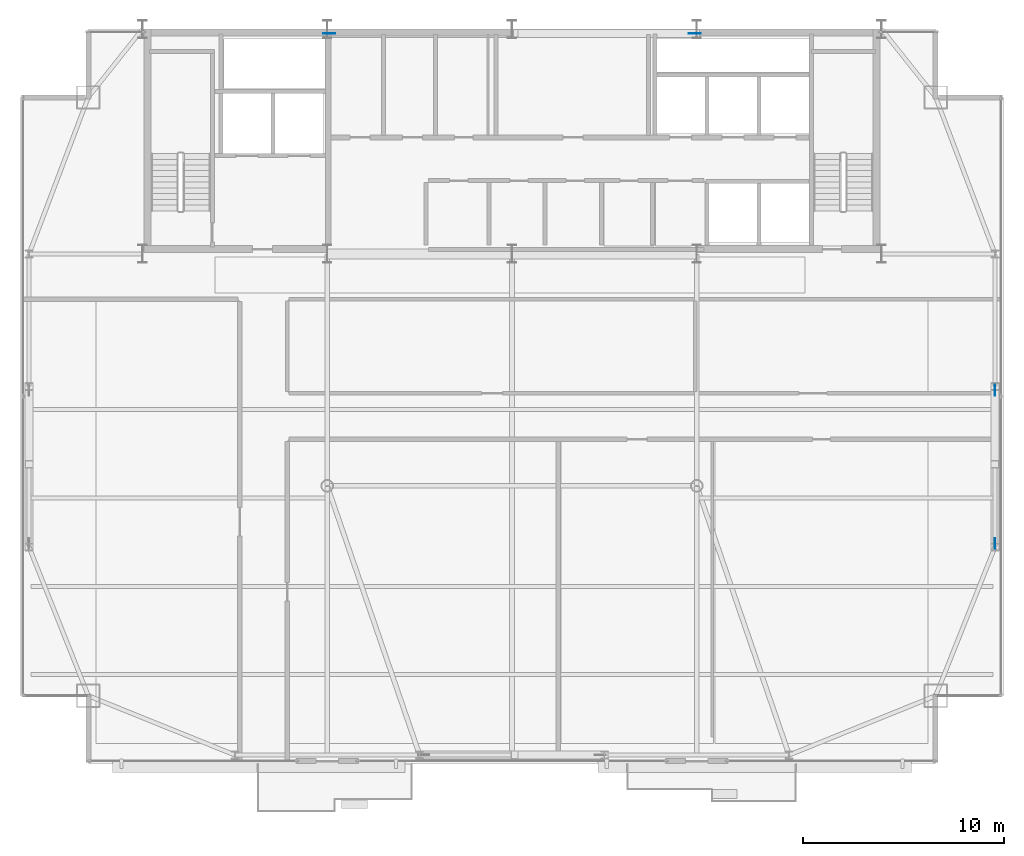
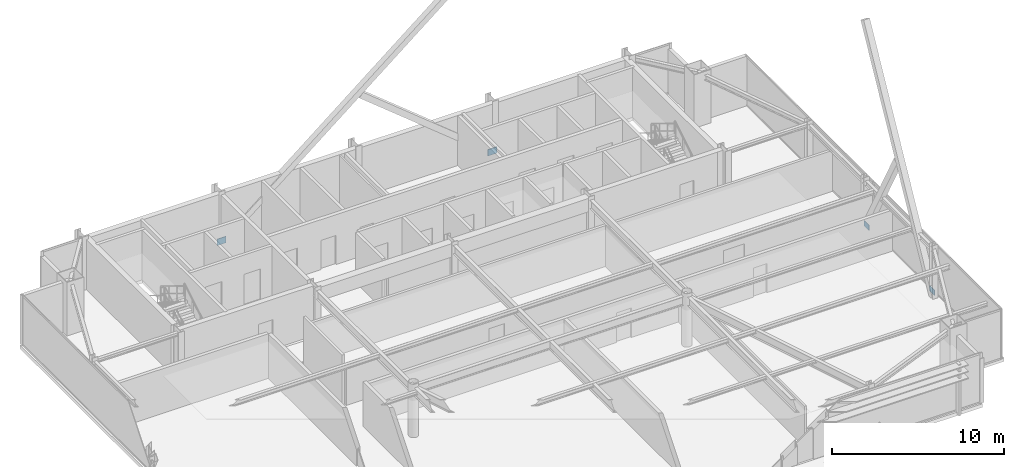
# One storey, part 26 of 31: 4 plates.
"""IFC4 building model written with IfcOpenShell, lengths in metres."""

from ifc_helpers import new_model, si_unit, direction, frame, origin, origin_2d, place, context, subcontext, project, spatial, rectangle, extrude, source, transform, mapped, material, layer, layer_set, type_object, type_shapes, element, save


model = new_model("IFC4")

# Units and contexts
model_context = context("Model", 3, precision=1e-05, world=origin(), true_north=direction((0.0, 1.0)))
body_context = subcontext(model_context, "Body", "Model", "MODEL_VIEW")
ifc_project = project(units=[si_unit("LENGTHUNIT", "METRE"), si_unit("AREAUNIT", "SQUARE_METRE"), si_unit("VOLUMEUNIT", "CUBIC_METRE"), si_unit("PLANEANGLEUNIT", "RADIAN"), si_unit("MASSUNIT", "GRAM", prefix="KILO")], contexts=[model_context])

# Site, building, storey
site_placement = place(None, origin())
site = spatial("IfcSite", under=ifc_project, at=site_placement, CompositionType="ELEMENT")
building_placement = place(site_placement, origin())
building = spatial("IfcBuilding", under=site, at=building_placement, Name="Varnel Quay Broadcast Tower", CompositionType="ELEMENT")
storey_placement = place(building_placement, frame((0.0, 0.0, 239.39990234375)))
storey = spatial("IfcBuildingStorey", under=building, at=storey_placement, Name="L59", CompositionType="ELEMENT", Elevation=239.39990234375)

# Plates
ifc_material = material(Name="Structural Steel CSA G40.21 350WT", Category="steel")
ifc_layer_1 = layer(ifc_material, 0.031982421875, Name="Structural Steel CSA G40.21 350WT")
ifc_layer_set_1 = layer_set([ifc_layer_1], Name="Structural Steel CSA G40.21 350WT")
plate_type_1 = type_object("IfcPlateType", Name="Plate_EndCap", PredefinedType="USERDEFINED", material=ifc_layer_set_1)
shared_shape_1 = source(origin(), body_context, "Body", "SweptSolid", [
    extrude(rectangle(XDim=0.5400390625, YDim=0.031982421875, at=origin_2d()), origin(), (0.0, 0.0, 1.0), 0.3798828125),
])
type_shapes(plate_type_1, [shared_shape_1])
for number, where, z_axis, x_axis, name in (
    (1, (58.050048828125, 21.1796875, 0.1650390625), (0.0, 0.0, 1.0), (0.0, 1.0, 0.0), "Zone 4 Mega-Brace E-FT3 Diag A End Connection Plate P0"),
    (2, (58.050048828125, 28.8203125, 0.1650390625), (0.0, 0.0, 1.0), (0.0, 1.0, 0.0), "Zone 4 Mega-Brace E-FT3 Diag B1 End Connection Plate P0"),
):
    element("IfcPlate", number, at=place(storey_placement, frame(where, z_axis=z_axis, x_axis=x_axis)), inside=storey, type_object=plate_type_1, Name=name, ObjectType="CAP_PLATE", PredefinedType="USERDEFINED", context=body_context, shape_type="MappedRepresentation", body=[
        mapped(shared_shape_1, transform((0.0, 0.0, 0.0), x_axis=(1.0, 0.0, 0.0), y_axis=(0.0, 1.0, 0.0), z_axis=(0.0, 0.0, 1.0), scale=1.0)),
    ])
ifc_layer_2 = layer(ifc_material, 0.0400390625, Name="Structural Steel CSA G40.21 350WT")
ifc_layer_set_2 = layer_set([ifc_layer_2], Name="Structural Steel CSA G40.21 350WT")
plate_type_2 = type_object("IfcPlateType", Name="Plate_EmbedPlate", PredefinedType="USERDEFINED", material=ifc_layer_set_2)
shared_shape_2 = source(origin(), body_context, "Body", "SweptSolid", [
    extrude(rectangle(XDim=0.60009765625, YDim=0.0400390625, at=origin_2d()), origin(), (0.0, 0.0, 1.0), 0.449951171875),
])
type_shapes(plate_type_2, [shared_shape_2])
for number, where, z_axis, x_axis, name in (
    (3, (24.893310546875, 46.580078125, -0.12939453125), (0.0, 0.0, 1.0), (1.0, 0.0, 0.0), "Zone 4 Mega-Brace N-CT3 Diag A Wall Cast-In Embed Plate P0"),
    (4, (43.106689453125, 46.580078125, -0.12939453125), (0.0, 0.0, 1.0), (1.0, 0.0, 0.0), "Zone 4 Mega-Brace N-CT3 Diag B1 Wall Cast-In Embed Plate P0"),
):
    element("IfcPlate", number, at=place(storey_placement, frame(where, z_axis=z_axis, x_axis=x_axis)), inside=storey, type_object=plate_type_2, Name=name, ObjectType="EMBED_PLATE", PredefinedType="USERDEFINED", context=body_context, shape_type="MappedRepresentation", body=[
        mapped(shared_shape_2, transform((0.0, 0.0, 0.0), x_axis=(1.0, 0.0, 0.0), y_axis=(0.0, 1.0, 0.0), z_axis=(0.0, 0.0, 1.0), scale=1.0)),
    ])

save(model, "model.ifc")
